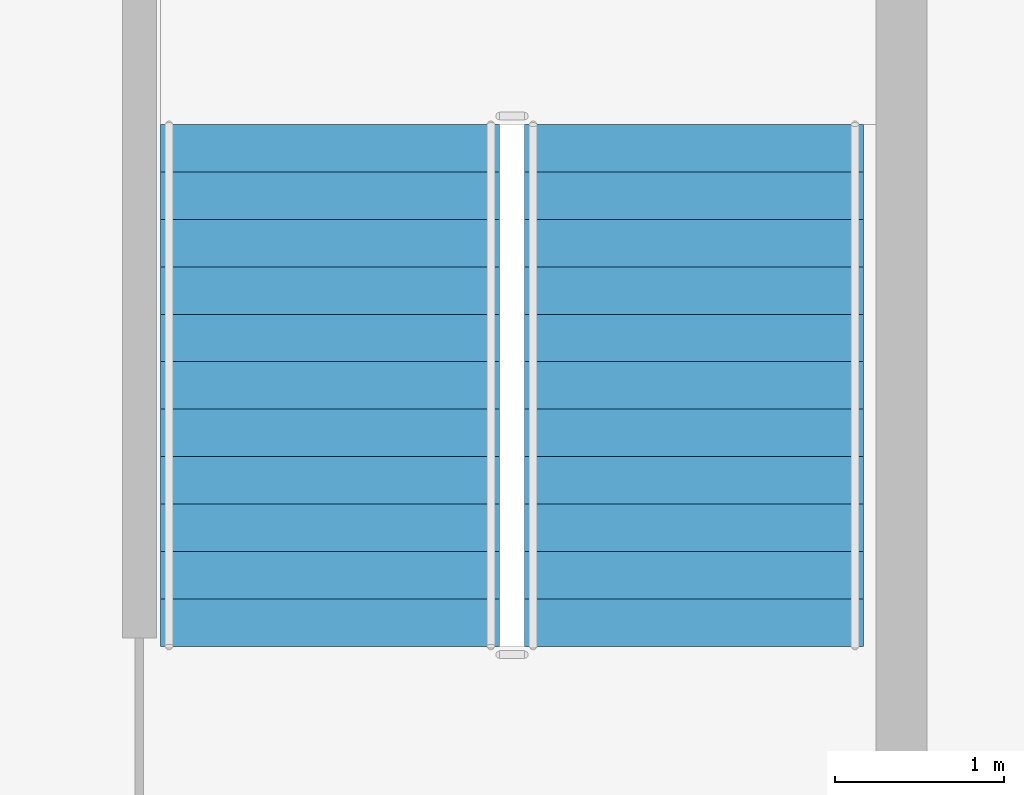
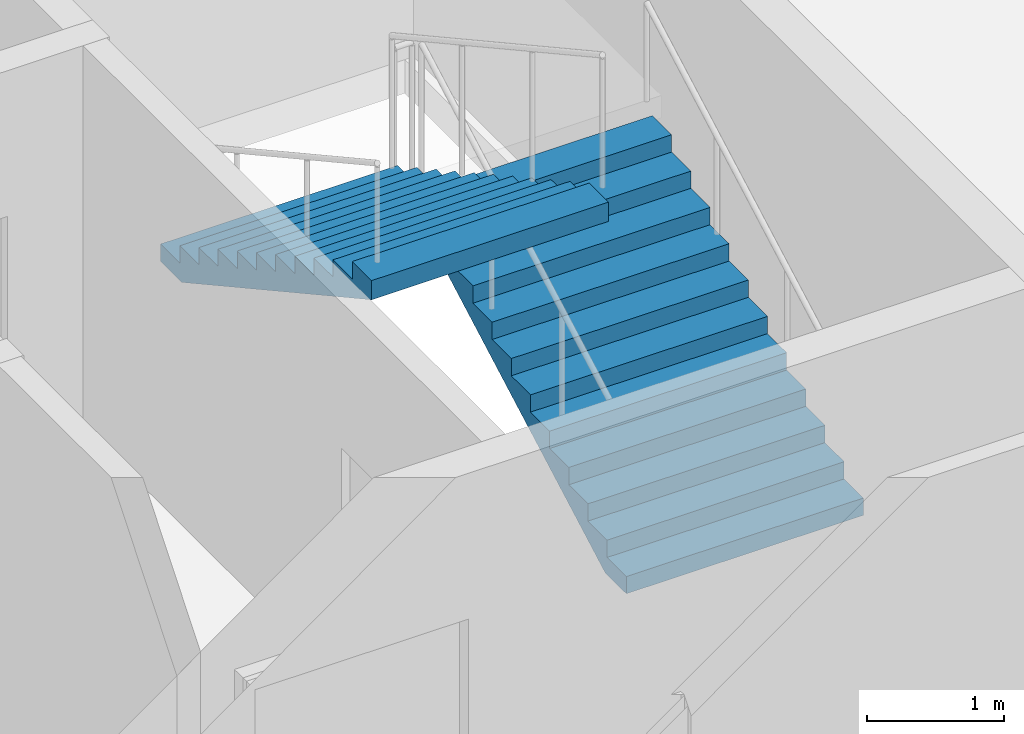
# One storey, part 9 of 16: 2 stair flights, 1 element without a shape of its own.
"""IFC4 building model written with IfcOpenShell, lengths in metres."""

from ifc_helpers import new_model, si_unit, direction, frame, origin, place, context, subcontext, project, spatial, polygons, material, type_object, element, aggregate, save


model = new_model("IFC4")

# Units and contexts
model_context = context("Model", 3, precision=1e-05, world=origin(), true_north=direction((0.0, 1.0)))
body_context = subcontext(model_context, "Body", "Model", "MODEL_VIEW")
ifc_project = project(units=[si_unit("LENGTHUNIT", "METRE"), si_unit("AREAUNIT", "SQUARE_METRE"), si_unit("VOLUMEUNIT", "CUBIC_METRE"), si_unit("PLANEANGLEUNIT", "RADIAN"), si_unit("MASSUNIT", "GRAM", prefix="KILO")], contexts=[model_context])

# Site, building, storey
site_placement = place(None, origin())
site = spatial("IfcSite", under=ifc_project, at=site_placement, CompositionType="ELEMENT")
building_placement = place(site_placement, origin())
building = spatial("IfcBuilding", under=site, at=building_placement, Name="Caravel Reach Hotel and Residences", CompositionType="ELEMENT")
storey_placement = place(building_placement, frame((0.0, 0.0, 207.199951171875)))
storey = spatial("IfcBuildingStorey", under=building, at=storey_placement, Name="L52", CompositionType="ELEMENT", Elevation=207.199951171875)

# Stair, stair flights
ifc_material_1 = material(Name="Concrete C40", Category="concrete")
stair_type = type_object("IfcStairType", Name="Core stair", PredefinedType="HALF_TURN_STAIR", material=ifc_material_1)
stair_placement = place(storey_placement, origin())
stair = element("IfcStair", 1, at=stair_placement, inside=storey, type_object=stair_type, Name="L52 Exit stair B", PredefinedType="HALF_TURN_STAIR")
ifc_material_2 = material(Name="Concrete C40", Category="concrete")
stair_flight_type = type_object("IfcStairFlightType", Name="Core stair flight", PredefinedType="STRAIGHT", material=ifc_material_2)
stair_flight_1_placement = place(storey_placement, frame((43.77490234375, 24.64990234375, 0.0), z_axis=(0.0, 0.0, 1.0), x_axis=(0.0, 1.0, 0.0)))
stair_flight_1 = element("IfcStairFlight", 2, at=stair_flight_1_placement, type_object=stair_flight_type, Name="ST-B flight 1", NumberOfRisers=12, NumberOfTreads=11, PredefinedType="STRAIGHT", RiserHeight=0.154166667, TreadLength=0.28, context=body_context, shape_type="Tessellation", body=[
    polygons([(0.3107950034306102, 1.0, 0.0), (0.3107950034306102, 0.6666666666666667, 0.0), (0.3107950034306102, 0.33333333333333337, 0.0), (0.3107950034306102, 0.0, 0.0), (0.3107950034306102, -0.33333333333333326, 0.0), (0.3107950034306102, -0.6666666666666667, 0.0), (0.3107950034306102, -1.0, 0.0), (3.081, 1.0, 1.524711087717319), (3.081, 0.6666666666666667, 1.524711087717319), (3.081, 0.33333333333333337, 1.524711087717319), (3.081, 0.0, 1.524711087717319), (3.081, -0.33333333333333326, 1.524711087717319), (3.081, -0.6666666666666667, 1.524711087717319), (3.081, -1.0, 1.524711087717319), (3.081, 1.0, 1.695833337), (3.081, 0.6666666666666667, 1.695833337), (3.081, 0.33333333333333337, 1.695833337), (3.081, 0.0, 1.695833337), (3.081, -0.33333333333333326, 1.695833337), (3.081, -0.6666666666666667, 1.695833337), (3.081, -1.0, 1.695833337), (2.8000000000000003, 1.0, 1.695833337), (2.8000000000000003, 0.6666666666666667, 1.695833337), (2.8000000000000003, 0.33333333333333337, 1.695833337), (2.8000000000000003, 0.0, 1.695833337), (2.8000000000000003, -0.33333333333333326, 1.695833337), (2.8000000000000003, -0.6666666666666667, 1.695833337), (2.8000000000000003, -1.0, 1.695833337), (2.8000000000000003, 1.0, 1.5416666700000001), (2.8000000000000003, 0.6666666666666667, 1.5416666700000001), (2.8000000000000003, 0.33333333333333337, 1.5416666700000001), (2.8000000000000003, 0.0, 1.5416666700000001), (2.8000000000000003, -0.33333333333333326, 1.5416666700000001), (2.8000000000000003, -0.6666666666666667, 1.5416666700000001), (2.8000000000000003, -1.0, 1.5416666700000001), (2.5200000000000005, 1.0, 1.5416666700000001), (2.5200000000000005, 0.6666666666666667, 1.5416666700000001), (2.5200000000000005, 0.33333333333333337, 1.5416666700000001), (2.5200000000000005, 0.0, 1.5416666700000001), (2.5200000000000005, -0.33333333333333326, 1.5416666700000001), (2.5200000000000005, -0.6666666666666667, 1.5416666700000001), (2.5200000000000005, -1.0, 1.5416666700000001), (2.5200000000000005, 1.0, 1.387500003), (2.5200000000000005, 0.6666666666666667, 1.387500003), (2.5200000000000005, 0.33333333333333337, 1.387500003), (2.5200000000000005, 0.0, 1.387500003), (2.5200000000000005, -0.33333333333333326, 1.387500003), (2.5200000000000005, -0.6666666666666667, 1.387500003), (2.5200000000000005, -1.0, 1.387500003), (2.24, 1.0, 1.387500003), (2.24, 0.6666666666666667, 1.387500003), (2.24, 0.33333333333333337, 1.387500003), (2.24, 0.0, 1.387500003), (2.24, -0.33333333333333326, 1.387500003), (2.24, -0.6666666666666667, 1.387500003), (2.24, -1.0, 1.387500003), (2.24, 1.0, 1.233333336), (2.24, 0.6666666666666667, 1.233333336), (2.24, 0.33333333333333337, 1.233333336), (2.24, 0.0, 1.233333336), (2.24, -0.33333333333333326, 1.233333336), (2.24, -0.6666666666666667, 1.233333336), (2.24, -1.0, 1.233333336), (1.9600000000000002, 1.0, 1.233333336), (1.9600000000000002, 0.6666666666666667, 1.233333336), (1.9600000000000002, 0.33333333333333337, 1.233333336), (1.9600000000000002, 0.0, 1.233333336), (1.9600000000000002, -0.33333333333333326, 1.233333336), (1.9600000000000002, -0.6666666666666667, 1.233333336), (1.9600000000000002, -1.0, 1.233333336), (1.9600000000000002, 1.0, 1.0791666690000001), (1.9600000000000002, 0.6666666666666667, 1.0791666690000001), (1.9600000000000002, 0.33333333333333337, 1.0791666690000001), (1.9600000000000002, 0.0, 1.0791666690000001), (1.9600000000000002, -0.33333333333333326, 1.0791666690000001), (1.9600000000000002, -0.6666666666666667, 1.0791666690000001), (1.9600000000000002, -1.0, 1.0791666690000001), (1.6800000000000002, 1.0, 1.0791666690000001), (1.6800000000000002, 0.6666666666666667, 1.0791666690000001), (1.6800000000000002, 0.33333333333333337, 1.0791666690000001), (1.6800000000000002, 0.0, 1.0791666690000001), (1.6800000000000002, -0.33333333333333326, 1.0791666690000001), (1.6800000000000002, -0.6666666666666667, 1.0791666690000001), (1.6800000000000002, -1.0, 1.0791666690000001), (1.6800000000000002, 1.0, 0.925000002), (1.6800000000000002, 0.6666666666666667, 0.925000002), (1.6800000000000002, 0.33333333333333337, 0.925000002), (1.6800000000000002, 0.0, 0.925000002), (1.6800000000000002, -0.33333333333333326, 0.925000002), (1.6800000000000002, -0.6666666666666667, 0.925000002), (1.6800000000000002, -1.0, 0.925000002), (1.4000000000000001, 1.0, 0.925000002), (1.4000000000000001, 0.6666666666666667, 0.925000002), (1.4000000000000001, 0.33333333333333337, 0.925000002), (1.4000000000000001, 0.0, 0.925000002), (1.4000000000000001, -0.33333333333333326, 0.925000002), (1.4000000000000001, -0.6666666666666667, 0.925000002), (1.4000000000000001, -1.0, 0.925000002), (1.4000000000000001, 1.0, 0.7708333350000001), (1.4000000000000001, 0.6666666666666667, 0.7708333350000001), (1.4000000000000001, 0.33333333333333337, 0.7708333350000001), (1.4000000000000001, 0.0, 0.7708333350000001), (1.4000000000000001, -0.33333333333333326, 0.7708333350000001), (1.4000000000000001, -0.6666666666666667, 0.7708333350000001), (1.4000000000000001, -1.0, 0.7708333350000001), (1.12, 1.0, 0.7708333350000001), (1.12, 0.6666666666666667, 0.7708333350000001), (1.12, 0.33333333333333337, 0.7708333350000001), (1.12, 0.0, 0.7708333350000001), (1.12, -0.33333333333333326, 0.7708333350000001), (1.12, -0.6666666666666667, 0.7708333350000001), (1.12, -1.0, 0.7708333350000001), (1.12, 1.0, 0.616666668), (1.12, 0.6666666666666667, 0.616666668), (1.12, 0.33333333333333337, 0.616666668), (1.12, 0.0, 0.616666668), (1.12, -0.33333333333333326, 0.616666668), (1.12, -0.6666666666666667, 0.616666668), (1.12, -1.0, 0.616666668), (0.8400000000000001, 1.0, 0.616666668), (0.8400000000000001, 0.6666666666666667, 0.616666668), (0.8400000000000001, 0.33333333333333337, 0.616666668), (0.8400000000000001, 0.0, 0.616666668), (0.8400000000000001, -0.33333333333333326, 0.616666668), (0.8400000000000001, -0.6666666666666667, 0.616666668), (0.8400000000000001, -1.0, 0.616666668), (0.8400000000000001, 1.0, 0.462500001), (0.8400000000000001, 0.6666666666666667, 0.462500001), (0.8400000000000001, 0.33333333333333337, 0.462500001), (0.8400000000000001, 0.0, 0.462500001), (0.8400000000000001, -0.33333333333333326, 0.462500001), (0.8400000000000001, -0.6666666666666667, 0.462500001), (0.8400000000000001, -1.0, 0.462500001), (0.56, 1.0, 0.462500001), (0.56, 0.6666666666666667, 0.462500001), (0.56, 0.33333333333333337, 0.462500001), (0.56, 0.0, 0.462500001), (0.56, -0.33333333333333326, 0.462500001), (0.56, -0.6666666666666667, 0.462500001), (0.56, -1.0, 0.462500001), (0.56, 1.0, 0.308333334), (0.56, 0.6666666666666667, 0.308333334), (0.56, 0.33333333333333337, 0.308333334), (0.56, 0.0, 0.308333334), (0.56, -0.33333333333333326, 0.308333334), (0.56, -0.6666666666666667, 0.308333334), (0.56, -1.0, 0.308333334), (0.28, 1.0, 0.308333334), (0.28, 0.6666666666666667, 0.308333334), (0.28, 0.33333333333333337, 0.308333334), (0.28, 0.0, 0.308333334), (0.28, -0.33333333333333326, 0.308333334), (0.28, -0.6666666666666667, 0.308333334), (0.28, -1.0, 0.308333334), (0.28, 1.0, 0.154166667), (0.28, 0.6666666666666667, 0.154166667), (0.28, 0.33333333333333337, 0.154166667), (0.28, 0.0, 0.154166667), (0.28, -0.33333333333333326, 0.154166667), (0.28, -0.6666666666666667, 0.154166667), (0.28, -1.0, 0.154166667), (-0.001, 1.0, 0.154166667), (-0.001, 0.6666666666666667, 0.154166667), (-0.001, 0.33333333333333337, 0.154166667), (-0.001, 0.0, 0.154166667), (-0.001, -0.33333333333333326, 0.154166667), (-0.001, -0.6666666666666667, 0.154166667), (-0.001, -1.0, 0.154166667), (-0.001, 1.0, 0.0), (-0.001, 0.6666666666666667, 0.0), (-0.001, 0.33333333333333337, 0.0), (-0.001, 0.0, 0.0), (-0.001, -0.33333333333333326, 0.0), (-0.001, -0.6666666666666667, 0.0), (-0.001, -1.0, 0.0)], [[[169, 162, 155, 148, 141, 134, 127, 120, 113, 106, 99, 92, 85, 78, 71, 64, 57, 50, 43, 36, 29, 22, 15, 8, 1]], [[7, 14, 21, 28, 35, 42, 49, 56, 63, 70, 77, 84, 91, 98, 105, 112, 119, 126, 133, 140, 147, 154, 161, 168, 175]], [[1, 8, 9, 2]], [[2, 9, 10, 3]], [[3, 10, 11, 4]], [[4, 11, 12, 5]], [[5, 12, 13, 6]], [[6, 13, 14, 7]], [[8, 15, 16, 9]], [[9, 16, 17, 10]], [[10, 17, 18, 11]], [[11, 18, 19, 12]], [[12, 19, 20, 13]], [[13, 20, 21, 14]], [[15, 22, 23, 16]], [[16, 23, 24, 17]], [[17, 24, 25, 18]], [[18, 25, 26, 19]], [[19, 26, 27, 20]], [[20, 27, 28, 21]], [[22, 29, 30, 23]], [[23, 30, 31, 24]], [[24, 31, 32, 25]], [[25, 32, 33, 26]], [[26, 33, 34, 27]], [[27, 34, 35, 28]], [[29, 36, 37, 30]], [[30, 37, 38, 31]], [[31, 38, 39, 32]], [[32, 39, 40, 33]], [[33, 40, 41, 34]], [[34, 41, 42, 35]], [[36, 43, 44, 37]], [[37, 44, 45, 38]], [[38, 45, 46, 39]], [[39, 46, 47, 40]], [[40, 47, 48, 41]], [[41, 48, 49, 42]], [[43, 50, 51, 44]], [[44, 51, 52, 45]], [[45, 52, 53, 46]], [[46, 53, 54, 47]], [[47, 54, 55, 48]], [[48, 55, 56, 49]], [[50, 57, 58, 51]], [[51, 58, 59, 52]], [[52, 59, 60, 53]], [[53, 60, 61, 54]], [[54, 61, 62, 55]], [[55, 62, 63, 56]], [[57, 64, 65, 58]], [[58, 65, 66, 59]], [[59, 66, 67, 60]], [[60, 67, 68, 61]], [[61, 68, 69, 62]], [[62, 69, 70, 63]], [[64, 71, 72, 65]], [[65, 72, 73, 66]], [[66, 73, 74, 67]], [[67, 74, 75, 68]], [[68, 75, 76, 69]], [[69, 76, 77, 70]], [[71, 78, 79, 72]], [[72, 79, 80, 73]], [[73, 80, 81, 74]], [[74, 81, 82, 75]], [[75, 82, 83, 76]], [[76, 83, 84, 77]], [[78, 85, 86, 79]], [[79, 86, 87, 80]], [[80, 87, 88, 81]], [[81, 88, 89, 82]], [[82, 89, 90, 83]], [[83, 90, 91, 84]], [[85, 92, 93, 86]], [[86, 93, 94, 87]], [[87, 94, 95, 88]], [[88, 95, 96, 89]], [[89, 96, 97, 90]], [[90, 97, 98, 91]], [[92, 99, 100, 93]], [[93, 100, 101, 94]], [[94, 101, 102, 95]], [[95, 102, 103, 96]], [[96, 103, 104, 97]], [[97, 104, 105, 98]], [[99, 106, 107, 100]], [[100, 107, 108, 101]], [[101, 108, 109, 102]], [[102, 109, 110, 103]], [[103, 110, 111, 104]], [[104, 111, 112, 105]], [[106, 113, 114, 107]], [[107, 114, 115, 108]], [[108, 115, 116, 109]], [[109, 116, 117, 110]], [[110, 117, 118, 111]], [[111, 118, 119, 112]], [[113, 120, 121, 114]], [[114, 121, 122, 115]], [[115, 122, 123, 116]], [[116, 123, 124, 117]], [[117, 124, 125, 118]], [[118, 125, 126, 119]], [[120, 127, 128, 121]], [[121, 128, 129, 122]], [[122, 129, 130, 123]], [[123, 130, 131, 124]], [[124, 131, 132, 125]], [[125, 132, 133, 126]], [[127, 134, 135, 128]], [[128, 135, 136, 129]], [[129, 136, 137, 130]], [[130, 137, 138, 131]], [[131, 138, 139, 132]], [[132, 139, 140, 133]], [[134, 141, 142, 135]], [[135, 142, 143, 136]], [[136, 143, 144, 137]], [[137, 144, 145, 138]], [[138, 145, 146, 139]], [[139, 146, 147, 140]], [[141, 148, 149, 142]], [[142, 149, 150, 143]], [[143, 150, 151, 144]], [[144, 151, 152, 145]], [[145, 152, 153, 146]], [[146, 153, 154, 147]], [[148, 155, 156, 149]], [[149, 156, 157, 150]], [[150, 157, 158, 151]], [[151, 158, 159, 152]], [[152, 159, 160, 153]], [[153, 160, 161, 154]], [[155, 162, 163, 156]], [[156, 163, 164, 157]], [[157, 164, 165, 158]], [[158, 165, 166, 159]], [[159, 166, 167, 160]], [[160, 167, 168, 161]], [[162, 169, 170, 163]], [[163, 170, 171, 164]], [[164, 171, 172, 165]], [[165, 172, 173, 166]], [[166, 173, 174, 167]], [[167, 174, 175, 168]], [[169, 1, 2, 170]], [[170, 2, 3, 171]], [[171, 3, 4, 172]], [[172, 4, 5, 173]], [[173, 5, 6, 174]], [[174, 6, 7, 175]]], closed=True),
])
stair_flight_2_placement = place(storey_placement, frame((41.625, 27.72998046875, 1.85009765625), z_axis=(0.0, 0.0, 1.0), x_axis=(0.0, -1.0, 0.0)))
stair_flight_2 = element("IfcStairFlight", 3, at=stair_flight_2_placement, type_object=stair_flight_type, Name="ST-B flight 2", NumberOfRisers=12, NumberOfTreads=11, PredefinedType="STRAIGHT", RiserHeight=0.154166667, TreadLength=0.28, context=body_context, shape_type="Tessellation", body=[
    polygons([(0.3107950034306102, 1.0, 0.0), (0.3107950034306102, 0.6666666666666667, 0.0), (0.3107950034306102, 0.33333333333333337, 0.0), (0.3107950034306102, 0.0, 0.0), (0.3107950034306102, -0.33333333333333326, 0.0), (0.3107950034306102, -0.6666666666666667, 0.0), (0.3107950034306102, -1.0, 0.0), (3.081, 1.0, 1.524711087717319), (3.081, 0.6666666666666667, 1.524711087717319), (3.081, 0.33333333333333337, 1.524711087717319), (3.081, 0.0, 1.524711087717319), (3.081, -0.33333333333333326, 1.524711087717319), (3.081, -0.6666666666666667, 1.524711087717319), (3.081, -1.0, 1.524711087717319), (3.081, 1.0, 1.695833337), (3.081, 0.6666666666666667, 1.695833337), (3.081, 0.33333333333333337, 1.695833337), (3.081, 0.0, 1.695833337), (3.081, -0.33333333333333326, 1.695833337), (3.081, -0.6666666666666667, 1.695833337), (3.081, -1.0, 1.695833337), (2.8000000000000003, 1.0, 1.695833337), (2.8000000000000003, 0.6666666666666667, 1.695833337), (2.8000000000000003, 0.33333333333333337, 1.695833337), (2.8000000000000003, 0.0, 1.695833337), (2.8000000000000003, -0.33333333333333326, 1.695833337), (2.8000000000000003, -0.6666666666666667, 1.695833337), (2.8000000000000003, -1.0, 1.695833337), (2.8000000000000003, 1.0, 1.5416666700000001), (2.8000000000000003, 0.6666666666666667, 1.5416666700000001), (2.8000000000000003, 0.33333333333333337, 1.5416666700000001), (2.8000000000000003, 0.0, 1.5416666700000001), (2.8000000000000003, -0.33333333333333326, 1.5416666700000001), (2.8000000000000003, -0.6666666666666667, 1.5416666700000001), (2.8000000000000003, -1.0, 1.5416666700000001), (2.5200000000000005, 1.0, 1.5416666700000001), (2.5200000000000005, 0.6666666666666667, 1.5416666700000001), (2.5200000000000005, 0.33333333333333337, 1.5416666700000001), (2.5200000000000005, 0.0, 1.5416666700000001), (2.5200000000000005, -0.33333333333333326, 1.5416666700000001), (2.5200000000000005, -0.6666666666666667, 1.5416666700000001), (2.5200000000000005, -1.0, 1.5416666700000001), (2.5200000000000005, 1.0, 1.387500003), (2.5200000000000005, 0.6666666666666667, 1.387500003), (2.5200000000000005, 0.33333333333333337, 1.387500003), (2.5200000000000005, 0.0, 1.387500003), (2.5200000000000005, -0.33333333333333326, 1.387500003), (2.5200000000000005, -0.6666666666666667, 1.387500003), (2.5200000000000005, -1.0, 1.387500003), (2.24, 1.0, 1.387500003), (2.24, 0.6666666666666667, 1.387500003), (2.24, 0.33333333333333337, 1.387500003), (2.24, 0.0, 1.387500003), (2.24, -0.33333333333333326, 1.387500003), (2.24, -0.6666666666666667, 1.387500003), (2.24, -1.0, 1.387500003), (2.24, 1.0, 1.233333336), (2.24, 0.6666666666666667, 1.233333336), (2.24, 0.33333333333333337, 1.233333336), (2.24, 0.0, 1.233333336), (2.24, -0.33333333333333326, 1.233333336), (2.24, -0.6666666666666667, 1.233333336), (2.24, -1.0, 1.233333336), (1.9600000000000002, 1.0, 1.233333336), (1.9600000000000002, 0.6666666666666667, 1.233333336), (1.9600000000000002, 0.33333333333333337, 1.233333336), (1.9600000000000002, 0.0, 1.233333336), (1.9600000000000002, -0.33333333333333326, 1.233333336), (1.9600000000000002, -0.6666666666666667, 1.233333336), (1.9600000000000002, -1.0, 1.233333336), (1.9600000000000002, 1.0, 1.0791666690000001), (1.9600000000000002, 0.6666666666666667, 1.0791666690000001), (1.9600000000000002, 0.33333333333333337, 1.0791666690000001), (1.9600000000000002, 0.0, 1.0791666690000001), (1.9600000000000002, -0.33333333333333326, 1.0791666690000001), (1.9600000000000002, -0.6666666666666667, 1.0791666690000001), (1.9600000000000002, -1.0, 1.0791666690000001), (1.6800000000000002, 1.0, 1.0791666690000001), (1.6800000000000002, 0.6666666666666667, 1.0791666690000001), (1.6800000000000002, 0.33333333333333337, 1.0791666690000001), (1.6800000000000002, 0.0, 1.0791666690000001), (1.6800000000000002, -0.33333333333333326, 1.0791666690000001), (1.6800000000000002, -0.6666666666666667, 1.0791666690000001), (1.6800000000000002, -1.0, 1.0791666690000001), (1.6800000000000002, 1.0, 0.925000002), (1.6800000000000002, 0.6666666666666667, 0.925000002), (1.6800000000000002, 0.33333333333333337, 0.925000002), (1.6800000000000002, 0.0, 0.925000002), (1.6800000000000002, -0.33333333333333326, 0.925000002), (1.6800000000000002, -0.6666666666666667, 0.925000002), (1.6800000000000002, -1.0, 0.925000002), (1.4000000000000001, 1.0, 0.925000002), (1.4000000000000001, 0.6666666666666667, 0.925000002), (1.4000000000000001, 0.33333333333333337, 0.925000002), (1.4000000000000001, 0.0, 0.925000002), (1.4000000000000001, -0.33333333333333326, 0.925000002), (1.4000000000000001, -0.6666666666666667, 0.925000002), (1.4000000000000001, -1.0, 0.925000002), (1.4000000000000001, 1.0, 0.7708333350000001), (1.4000000000000001, 0.6666666666666667, 0.7708333350000001), (1.4000000000000001, 0.33333333333333337, 0.7708333350000001), (1.4000000000000001, 0.0, 0.7708333350000001), (1.4000000000000001, -0.33333333333333326, 0.7708333350000001), (1.4000000000000001, -0.6666666666666667, 0.7708333350000001), (1.4000000000000001, -1.0, 0.7708333350000001), (1.12, 1.0, 0.7708333350000001), (1.12, 0.6666666666666667, 0.7708333350000001), (1.12, 0.33333333333333337, 0.7708333350000001), (1.12, 0.0, 0.7708333350000001), (1.12, -0.33333333333333326, 0.7708333350000001), (1.12, -0.6666666666666667, 0.7708333350000001), (1.12, -1.0, 0.7708333350000001), (1.12, 1.0, 0.616666668), (1.12, 0.6666666666666667, 0.616666668), (1.12, 0.33333333333333337, 0.616666668), (1.12, 0.0, 0.616666668), (1.12, -0.33333333333333326, 0.616666668), (1.12, -0.6666666666666667, 0.616666668), (1.12, -1.0, 0.616666668), (0.8400000000000001, 1.0, 0.616666668), (0.8400000000000001, 0.6666666666666667, 0.616666668), (0.8400000000000001, 0.33333333333333337, 0.616666668), (0.8400000000000001, 0.0, 0.616666668), (0.8400000000000001, -0.33333333333333326, 0.616666668), (0.8400000000000001, -0.6666666666666667, 0.616666668), (0.8400000000000001, -1.0, 0.616666668), (0.8400000000000001, 1.0, 0.462500001), (0.8400000000000001, 0.6666666666666667, 0.462500001), (0.8400000000000001, 0.33333333333333337, 0.462500001), (0.8400000000000001, 0.0, 0.462500001), (0.8400000000000001, -0.33333333333333326, 0.462500001), (0.8400000000000001, -0.6666666666666667, 0.462500001), (0.8400000000000001, -1.0, 0.462500001), (0.56, 1.0, 0.462500001), (0.56, 0.6666666666666667, 0.462500001), (0.56, 0.33333333333333337, 0.462500001), (0.56, 0.0, 0.462500001), (0.56, -0.33333333333333326, 0.462500001), (0.56, -0.6666666666666667, 0.462500001), (0.56, -1.0, 0.462500001), (0.56, 1.0, 0.308333334), (0.56, 0.6666666666666667, 0.308333334), (0.56, 0.33333333333333337, 0.308333334), (0.56, 0.0, 0.308333334), (0.56, -0.33333333333333326, 0.308333334), (0.56, -0.6666666666666667, 0.308333334), (0.56, -1.0, 0.308333334), (0.28, 1.0, 0.308333334), (0.28, 0.6666666666666667, 0.308333334), (0.28, 0.33333333333333337, 0.308333334), (0.28, 0.0, 0.308333334), (0.28, -0.33333333333333326, 0.308333334), (0.28, -0.6666666666666667, 0.308333334), (0.28, -1.0, 0.308333334), (0.28, 1.0, 0.154166667), (0.28, 0.6666666666666667, 0.154166667), (0.28, 0.33333333333333337, 0.154166667), (0.28, 0.0, 0.154166667), (0.28, -0.33333333333333326, 0.154166667), (0.28, -0.6666666666666667, 0.154166667), (0.28, -1.0, 0.154166667), (-0.001, 1.0, 0.154166667), (-0.001, 0.6666666666666667, 0.154166667), (-0.001, 0.33333333333333337, 0.154166667), (-0.001, 0.0, 0.154166667), (-0.001, -0.33333333333333326, 0.154166667), (-0.001, -0.6666666666666667, 0.154166667), (-0.001, -1.0, 0.154166667), (-0.001, 1.0, 0.0), (-0.001, 0.6666666666666667, 0.0), (-0.001, 0.33333333333333337, 0.0), (-0.001, 0.0, 0.0), (-0.001, -0.33333333333333326, 0.0), (-0.001, -0.6666666666666667, 0.0), (-0.001, -1.0, 0.0)], [[[169, 162, 155, 148, 141, 134, 127, 120, 113, 106, 99, 92, 85, 78, 71, 64, 57, 50, 43, 36, 29, 22, 15, 8, 1]], [[7, 14, 21, 28, 35, 42, 49, 56, 63, 70, 77, 84, 91, 98, 105, 112, 119, 126, 133, 140, 147, 154, 161, 168, 175]], [[1, 8, 9, 2]], [[2, 9, 10, 3]], [[3, 10, 11, 4]], [[4, 11, 12, 5]], [[5, 12, 13, 6]], [[6, 13, 14, 7]], [[8, 15, 16, 9]], [[9, 16, 17, 10]], [[10, 17, 18, 11]], [[11, 18, 19, 12]], [[12, 19, 20, 13]], [[13, 20, 21, 14]], [[15, 22, 23, 16]], [[16, 23, 24, 17]], [[17, 24, 25, 18]], [[18, 25, 26, 19]], [[19, 26, 27, 20]], [[20, 27, 28, 21]], [[22, 29, 30, 23]], [[23, 30, 31, 24]], [[24, 31, 32, 25]], [[25, 32, 33, 26]], [[26, 33, 34, 27]], [[27, 34, 35, 28]], [[29, 36, 37, 30]], [[30, 37, 38, 31]], [[31, 38, 39, 32]], [[32, 39, 40, 33]], [[33, 40, 41, 34]], [[34, 41, 42, 35]], [[36, 43, 44, 37]], [[37, 44, 45, 38]], [[38, 45, 46, 39]], [[39, 46, 47, 40]], [[40, 47, 48, 41]], [[41, 48, 49, 42]], [[43, 50, 51, 44]], [[44, 51, 52, 45]], [[45, 52, 53, 46]], [[46, 53, 54, 47]], [[47, 54, 55, 48]], [[48, 55, 56, 49]], [[50, 57, 58, 51]], [[51, 58, 59, 52]], [[52, 59, 60, 53]], [[53, 60, 61, 54]], [[54, 61, 62, 55]], [[55, 62, 63, 56]], [[57, 64, 65, 58]], [[58, 65, 66, 59]], [[59, 66, 67, 60]], [[60, 67, 68, 61]], [[61, 68, 69, 62]], [[62, 69, 70, 63]], [[64, 71, 72, 65]], [[65, 72, 73, 66]], [[66, 73, 74, 67]], [[67, 74, 75, 68]], [[68, 75, 76, 69]], [[69, 76, 77, 70]], [[71, 78, 79, 72]], [[72, 79, 80, 73]], [[73, 80, 81, 74]], [[74, 81, 82, 75]], [[75, 82, 83, 76]], [[76, 83, 84, 77]], [[78, 85, 86, 79]], [[79, 86, 87, 80]], [[80, 87, 88, 81]], [[81, 88, 89, 82]], [[82, 89, 90, 83]], [[83, 90, 91, 84]], [[85, 92, 93, 86]], [[86, 93, 94, 87]], [[87, 94, 95, 88]], [[88, 95, 96, 89]], [[89, 96, 97, 90]], [[90, 97, 98, 91]], [[92, 99, 100, 93]], [[93, 100, 101, 94]], [[94, 101, 102, 95]], [[95, 102, 103, 96]], [[96, 103, 104, 97]], [[97, 104, 105, 98]], [[99, 106, 107, 100]], [[100, 107, 108, 101]], [[101, 108, 109, 102]], [[102, 109, 110, 103]], [[103, 110, 111, 104]], [[104, 111, 112, 105]], [[106, 113, 114, 107]], [[107, 114, 115, 108]], [[108, 115, 116, 109]], [[109, 116, 117, 110]], [[110, 117, 118, 111]], [[111, 118, 119, 112]], [[113, 120, 121, 114]], [[114, 121, 122, 115]], [[115, 122, 123, 116]], [[116, 123, 124, 117]], [[117, 124, 125, 118]], [[118, 125, 126, 119]], [[120, 127, 128, 121]], [[121, 128, 129, 122]], [[122, 129, 130, 123]], [[123, 130, 131, 124]], [[124, 131, 132, 125]], [[125, 132, 133, 126]], [[127, 134, 135, 128]], [[128, 135, 136, 129]], [[129, 136, 137, 130]], [[130, 137, 138, 131]], [[131, 138, 139, 132]], [[132, 139, 140, 133]], [[134, 141, 142, 135]], [[135, 142, 143, 136]], [[136, 143, 144, 137]], [[137, 144, 145, 138]], [[138, 145, 146, 139]], [[139, 146, 147, 140]], [[141, 148, 149, 142]], [[142, 149, 150, 143]], [[143, 150, 151, 144]], [[144, 151, 152, 145]], [[145, 152, 153, 146]], [[146, 153, 154, 147]], [[148, 155, 156, 149]], [[149, 156, 157, 150]], [[150, 157, 158, 151]], [[151, 158, 159, 152]], [[152, 159, 160, 153]], [[153, 160, 161, 154]], [[155, 162, 163, 156]], [[156, 163, 164, 157]], [[157, 164, 165, 158]], [[158, 165, 166, 159]], [[159, 166, 167, 160]], [[160, 167, 168, 161]], [[162, 169, 170, 163]], [[163, 170, 171, 164]], [[164, 171, 172, 165]], [[165, 172, 173, 166]], [[166, 173, 174, 167]], [[167, 174, 175, 168]], [[169, 1, 2, 170]], [[170, 2, 3, 171]], [[171, 3, 4, 172]], [[172, 4, 5, 173]], [[173, 5, 6, 174]], [[174, 6, 7, 175]]], closed=True),
])
aggregate(stair, [stair_flight_1, stair_flight_2])

save(model, "model.ifc")
